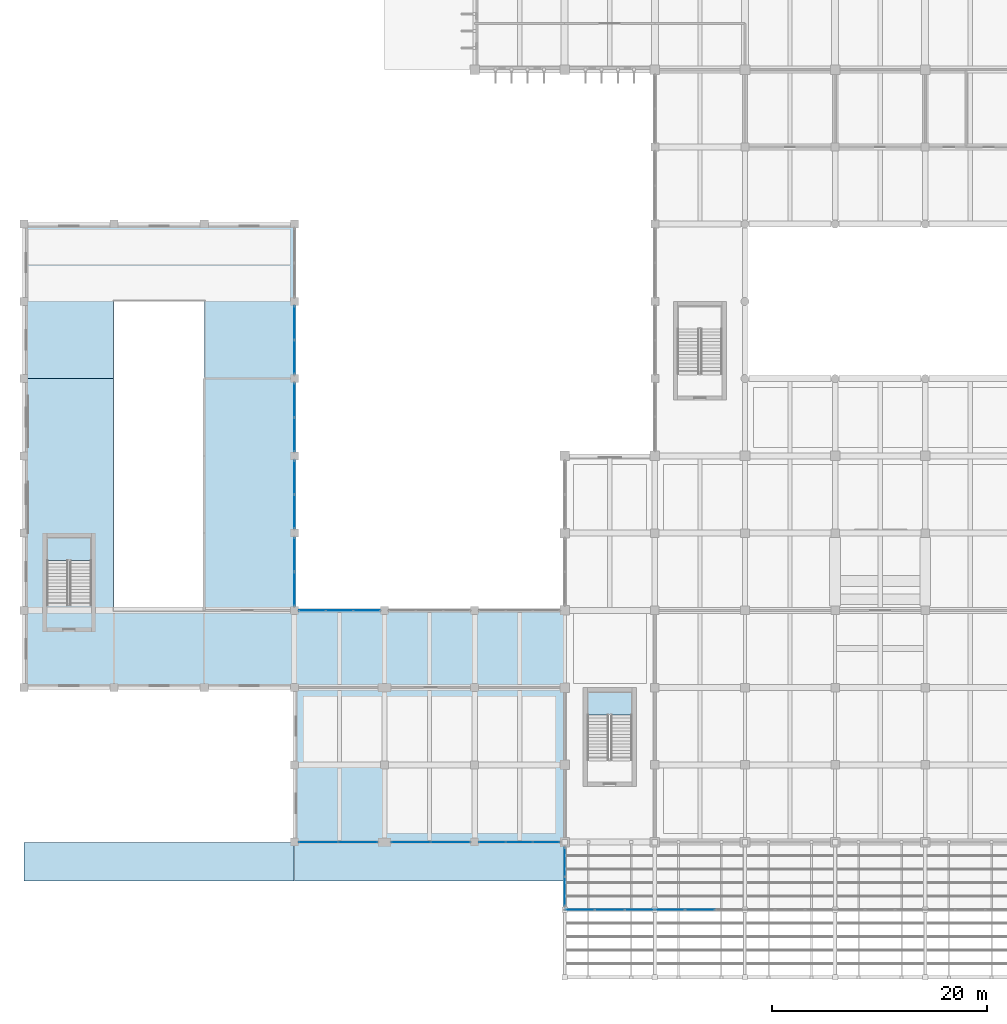
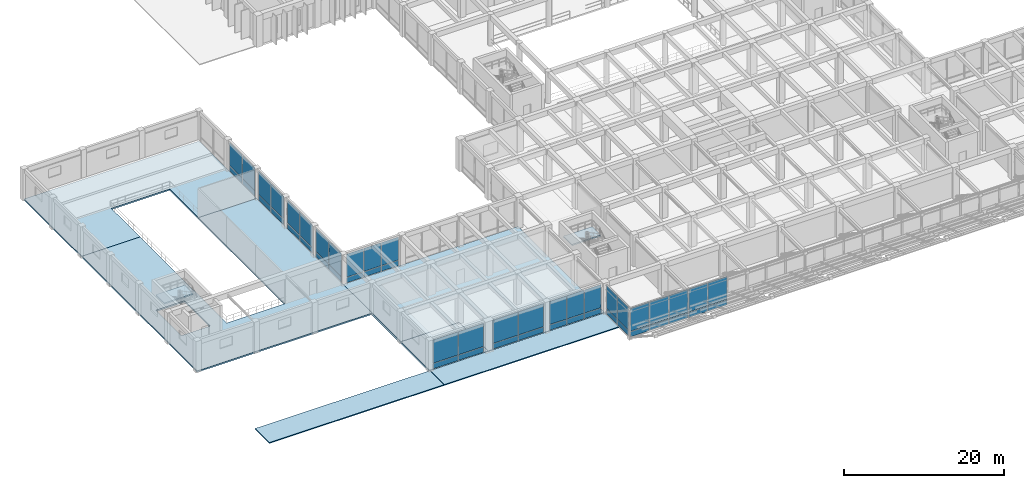
# One storey, part 27 of 52: 50 plates, 8 slabs, 13 elements without a shape of their own.
"""IFC4 building model written with IfcOpenShell, lengths in metres."""

from ifc_helpers import new_model, si_unit, direction, frame, origin, origin_2d, place, context, subcontext, project, spatial, polyline, rectangle, outline, extrude, material, layer, layer_set, type_object, element, aggregate, save


model = new_model("IFC4")

# Units and contexts
model_context = context("Model", 3, precision=1e-05, world=origin(), true_north=direction((0.0, 1.0)))
body_context = subcontext(model_context, "Body", "Model", "MODEL_VIEW")
ifc_project = project(units=[si_unit("LENGTHUNIT", "METRE"), si_unit("AREAUNIT", "SQUARE_METRE"), si_unit("VOLUMEUNIT", "CUBIC_METRE"), si_unit("PLANEANGLEUNIT", "RADIAN"), si_unit("MASSUNIT", "GRAM", prefix="KILO")], contexts=[model_context])

# Site, building, storey
site_placement = place(None, origin())
site = spatial("IfcSite", under=ifc_project, at=site_placement, CompositionType="ELEMENT")
building_placement = place(site_placement, origin())
building = spatial("IfcBuilding", under=site, at=building_placement, Name="Kenerak Square Central Library", CompositionType="ELEMENT")
storey_placement = place(building_placement, frame((0.0, 0.0, 4.800048828125)))
storey = spatial("IfcBuildingStorey", under=building, at=storey_placement, Name="L01", CompositionType="ELEMENT", Elevation=4.800048828125)

# Curtain wall, plates
ifc_material_1 = material(Name="Anodised aluminium and solar-control low-E glazing", Category="aluminium")
curtain_wall_type_1 = type_object("IfcCurtainWallType", Name="Curtain Wall CW-V3-64x45 6450x4500", PredefinedType="USERDEFINED", material=ifc_material_1)
curtain_wall_1_placement = place(storey_placement, origin())
curtain_wall_1 = element("IfcCurtainWall", 1, at=curtain_wall_1_placement, inside=storey, type_object=curtain_wall_type_1, Name="Curtain Wall CW-V3-64x45 L01 0060", ObjectType="CURTAIN WALL", PredefinedType="USERDEFINED")
ifc_material_2 = material(Name="Acoustic solar-control low-E double glazing", Category="glass")
ifc_layer_1 = layer(ifc_material_2, 0.028076171875)
ifc_layer_set_1 = layer_set([ifc_layer_1], Name="Acoustic solar-control low-E double glazing")
plate_type_1 = type_object("IfcPlateType", Name="Acoustic Laminated Curtain Panel CP-28", PredefinedType="CURTAIN_PANEL", material=ifc_layer_set_1)
plate_1_placement = place(storey_placement, frame((33.199951171875, 65.1923828125, 0.080078125), z_axis=(0.0, 0.0, 1.0), x_axis=(0.0, -1.0, 0.0)))
plate_1 = element("IfcPlate", 2, at=plate_1_placement, type_object=plate_type_1, Name="CW-V3-64x45 Panel 1.1", PredefinedType="CURTAIN_PANEL", context=body_context, shape_type="SweptSolid", body=[
    extrude(rectangle(XDim=3.10498046875, YDim=0.028076171875, at=origin_2d()), origin(), (0.0, 0.0, 1.0), 0.780029296875),
])
plate_2_placement = place(storey_placement, frame((33.199951171875, 65.1923828125, 0.93994140625), z_axis=(0.0, 0.0, 1.0), x_axis=(0.0, -1.0, 0.0)))
plate_2 = element("IfcPlate", 3, at=plate_2_placement, type_object=plate_type_1, Name="CW-V3-64x45 Panel 1.2", PredefinedType="CURTAIN_PANEL", context=body_context, shape_type="SweptSolid", body=[
    extrude(rectangle(XDim=3.10498046875, YDim=0.028076171875, at=origin_2d()), origin(), (0.0, 0.0, 1.0), 3.47998046875),
])
plate_3_placement = place(storey_placement, frame((33.199951171875, 62.007568359375, 0.080078125), z_axis=(0.0, 0.0, 1.0), x_axis=(0.0, -1.0, 0.0)))
plate_3 = element("IfcPlate", 4, at=plate_3_placement, type_object=plate_type_1, Name="CW-V3-64x45 Panel 2.1", PredefinedType="CURTAIN_PANEL", context=body_context, shape_type="SweptSolid", body=[
    extrude(rectangle(XDim=3.10498046875, YDim=0.028076171875, at=origin_2d()), origin(), (0.0, 0.0, 1.0), 0.780029296875),
])
plate_4_placement = place(storey_placement, frame((33.199951171875, 62.007568359375, 0.93994140625), z_axis=(0.0, 0.0, 1.0), x_axis=(0.0, -1.0, 0.0)))
plate_4 = element("IfcPlate", 5, at=plate_4_placement, type_object=plate_type_1, Name="CW-V3-64x45 Panel 2.2", PredefinedType="CURTAIN_PANEL", context=body_context, shape_type="SweptSolid", body=[
    extrude(rectangle(XDim=3.10498046875, YDim=0.028076171875, at=origin_2d()), origin(), (0.0, 0.0, 1.0), 3.47998046875),
])
aggregate(curtain_wall_1, [plate_1, plate_2, plate_3, plate_4])

curtain_wall_2_placement = place(storey_placement, origin())
curtain_wall_2 = element("IfcCurtainWall", 6, at=curtain_wall_2_placement, inside=storey, type_object=curtain_wall_type_1, Name="Curtain Wall CW-V3-64x45 L01 0061", ObjectType="CURTAIN WALL", PredefinedType="USERDEFINED")
plate_5_placement = place(storey_placement, frame((33.199951171875, 57.992431640625, 0.080078125), z_axis=(0.0, 0.0, 1.0), x_axis=(0.0, -1.0, 0.0)))
plate_5 = element("IfcPlate", 7, at=plate_5_placement, type_object=plate_type_1, Name="CW-V3-64x45 Panel 1.1", PredefinedType="CURTAIN_PANEL", context=body_context, shape_type="SweptSolid", body=[
    extrude(rectangle(XDim=3.10498046875, YDim=0.028076171875, at=origin_2d()), origin(), (0.0, 0.0, 1.0), 0.780029296875),
])
plate_6_placement = place(storey_placement, frame((33.199951171875, 57.992431640625, 0.93994140625), z_axis=(0.0, 0.0, 1.0), x_axis=(0.0, -1.0, 0.0)))
plate_6 = element("IfcPlate", 8, at=plate_6_placement, type_object=plate_type_1, Name="CW-V3-64x45 Panel 1.2", PredefinedType="CURTAIN_PANEL", context=body_context, shape_type="SweptSolid", body=[
    extrude(rectangle(XDim=3.10498046875, YDim=0.028076171875, at=origin_2d()), origin(), (0.0, 0.0, 1.0), 3.47998046875),
])
plate_7_placement = place(storey_placement, frame((33.199951171875, 54.8076171875, 0.080078125), z_axis=(0.0, 0.0, 1.0), x_axis=(0.0, -1.0, 0.0)))
plate_7 = element("IfcPlate", 9, at=plate_7_placement, type_object=plate_type_1, Name="CW-V3-64x45 Panel 2.1", PredefinedType="CURTAIN_PANEL", context=body_context, shape_type="SweptSolid", body=[
    extrude(rectangle(XDim=3.10498046875, YDim=0.028076171875, at=origin_2d()), origin(), (0.0, 0.0, 1.0), 0.780029296875),
])
plate_8_placement = place(storey_placement, frame((33.199951171875, 54.8076171875, 0.93994140625), z_axis=(0.0, 0.0, 1.0), x_axis=(0.0, -1.0, 0.0)))
plate_8 = element("IfcPlate", 10, at=plate_8_placement, type_object=plate_type_1, Name="CW-V3-64x45 Panel 2.2", PredefinedType="CURTAIN_PANEL", context=body_context, shape_type="SweptSolid", body=[
    extrude(rectangle(XDim=3.10498046875, YDim=0.028076171875, at=origin_2d()), origin(), (0.0, 0.0, 1.0), 3.47998046875),
])
aggregate(curtain_wall_2, [plate_5, plate_6, plate_7, plate_8])

curtain_wall_3_placement = place(storey_placement, origin())
curtain_wall_3 = element("IfcCurtainWall", 11, at=curtain_wall_3_placement, inside=storey, type_object=curtain_wall_type_1, Name="Curtain Wall CW-V3-64x45 L01 0062", ObjectType="CURTAIN WALL", PredefinedType="USERDEFINED")
plate_9_placement = place(storey_placement, frame((33.199951171875, 50.79248046875, 0.080078125), z_axis=(0.0, 0.0, 1.0), x_axis=(0.0, -1.0, 0.0)))
plate_9 = element("IfcPlate", 12, at=plate_9_placement, type_object=plate_type_1, Name="CW-V3-64x45 Panel 1.1", PredefinedType="CURTAIN_PANEL", context=body_context, shape_type="SweptSolid", body=[
    extrude(rectangle(XDim=3.10498046875, YDim=0.028076171875, at=origin_2d()), origin(), (0.0, 0.0, 1.0), 0.780029296875),
])
plate_10_placement = place(storey_placement, frame((33.199951171875, 50.79248046875, 0.93994140625), z_axis=(0.0, 0.0, 1.0), x_axis=(0.0, -1.0, 0.0)))
plate_10 = element("IfcPlate", 13, at=plate_10_placement, type_object=plate_type_1, Name="CW-V3-64x45 Panel 1.2", PredefinedType="CURTAIN_PANEL", context=body_context, shape_type="SweptSolid", body=[
    extrude(rectangle(XDim=3.10498046875, YDim=0.028076171875, at=origin_2d()), origin(), (0.0, 0.0, 1.0), 3.47998046875),
])
plate_11_placement = place(storey_placement, frame((33.199951171875, 47.607421875, 0.080078125), z_axis=(0.0, 0.0, 1.0), x_axis=(0.0, -1.0, 0.0)))
plate_11 = element("IfcPlate", 14, at=plate_11_placement, type_object=plate_type_1, Name="CW-V3-64x45 Panel 2.1", PredefinedType="CURTAIN_PANEL", context=body_context, shape_type="SweptSolid", body=[
    extrude(rectangle(XDim=3.10498046875, YDim=0.028076171875, at=origin_2d()), origin(), (0.0, 0.0, 1.0), 0.780029296875),
])
plate_12_placement = place(storey_placement, frame((33.199951171875, 47.607421875, 0.93994140625), z_axis=(0.0, 0.0, 1.0), x_axis=(0.0, -1.0, 0.0)))
plate_12 = element("IfcPlate", 15, at=plate_12_placement, type_object=plate_type_1, Name="CW-V3-64x45 Panel 2.2", PredefinedType="CURTAIN_PANEL", context=body_context, shape_type="SweptSolid", body=[
    extrude(rectangle(XDim=3.10498046875, YDim=0.028076171875, at=origin_2d()), origin(), (0.0, 0.0, 1.0), 3.47998046875),
])
aggregate(curtain_wall_3, [plate_9, plate_10, plate_11, plate_12])

curtain_wall_4_placement = place(storey_placement, origin())
curtain_wall_4 = element("IfcCurtainWall", 16, at=curtain_wall_4_placement, inside=storey, type_object=curtain_wall_type_1, Name="Curtain Wall CW-V3-64x45 L01 0063", ObjectType="CURTAIN WALL", PredefinedType="USERDEFINED")
plate_13_placement = place(storey_placement, frame((33.199951171875, 43.592529296875, 0.080078125), z_axis=(0.0, 0.0, 1.0), x_axis=(0.0, -1.0, 0.0)))
plate_13 = element("IfcPlate", 17, at=plate_13_placement, type_object=plate_type_1, Name="CW-V3-64x45 Panel 1.1", PredefinedType="CURTAIN_PANEL", context=body_context, shape_type="SweptSolid", body=[
    extrude(rectangle(XDim=3.10498046875, YDim=0.028076171875, at=origin_2d()), origin(), (0.0, 0.0, 1.0), 0.780029296875),
])
plate_14_placement = place(storey_placement, frame((33.199951171875, 43.592529296875, 0.93994140625), z_axis=(0.0, 0.0, 1.0), x_axis=(0.0, -1.0, 0.0)))
plate_14 = element("IfcPlate", 18, at=plate_14_placement, type_object=plate_type_1, Name="CW-V3-64x45 Panel 1.2", PredefinedType="CURTAIN_PANEL", context=body_context, shape_type="SweptSolid", body=[
    extrude(rectangle(XDim=3.10498046875, YDim=0.028076171875, at=origin_2d()), origin(), (0.0, 0.0, 1.0), 3.47998046875),
])
plate_15_placement = place(storey_placement, frame((33.199951171875, 40.407470703125, 0.080078125), z_axis=(0.0, 0.0, 1.0), x_axis=(0.0, -1.0, 0.0)))
plate_15 = element("IfcPlate", 19, at=plate_15_placement, type_object=plate_type_1, Name="CW-V3-64x45 Panel 2.1", PredefinedType="CURTAIN_PANEL", context=body_context, shape_type="SweptSolid", body=[
    extrude(rectangle(XDim=3.10498046875, YDim=0.028076171875, at=origin_2d()), origin(), (0.0, 0.0, 1.0), 0.780029296875),
])
plate_16_placement = place(storey_placement, frame((33.199951171875, 40.407470703125, 0.93994140625), z_axis=(0.0, 0.0, 1.0), x_axis=(0.0, -1.0, 0.0)))
plate_16 = element("IfcPlate", 20, at=plate_16_placement, type_object=plate_type_1, Name="CW-V3-64x45 Panel 2.2", PredefinedType="CURTAIN_PANEL", context=body_context, shape_type="SweptSolid", body=[
    extrude(rectangle(XDim=3.10498046875, YDim=0.028076171875, at=origin_2d()), origin(), (0.0, 0.0, 1.0), 3.47998046875),
])
aggregate(curtain_wall_4, [plate_13, plate_14, plate_15, plate_16])

# Slabs
ifc_material_3 = material(Name="Precast concrete C40/50", Category="concrete")
ifc_layer_2 = layer(ifc_material_3, 0.14990234375)
ifc_layer_set_2 = layer_set([ifc_layer_2], Name="Precast concrete C40/50")
slab_type_1 = type_object("IfcSlabType", Name="Canopy and Lantern Eave Roof Deck RS-150 C40/50", PredefinedType="ROOF", material=ifc_layer_set_2)
slab_1_placement = place(storey_placement, frame((0.0, 0.0, -0.150146484375)))
element("IfcSlab", 21, at=slab_1_placement, inside=storey, type_object=slab_type_1, Name="Canopy Roof Slab COL-ROOF-SW", PredefinedType="ROOF", context=body_context, shape_type="SweptSolid", body=[
    extrude(outline(polyline([(8.0, 13.199951171875), (33.14990234375, 13.199951171875), (33.14990234375, 16.75), (8.0, 16.75), (8.0, 13.199951171875)])), origin(), (0.0, 0.0, 1.0), 0.150146484375),
])
slab_2_placement = place(storey_placement, frame((0.0, 0.0, -0.150146484375)))
element("IfcSlab", 22, at=slab_2_placement, inside=storey, type_object=slab_type_1, Name="Canopy Roof Slab COL-ROOF-SW2", PredefinedType="ROOF", context=body_context, shape_type="SweptSolid", body=[
    extrude(outline(polyline([(33.199951171875, 13.199951171875), (58.35009765625, 13.199951171875), (58.35009765625, 16.75), (33.199951171875, 16.75), (33.199951171875, 13.199951171875)])), origin(), (0.0, 0.0, 1.0), 0.150146484375),
])
ifc_material_4 = material(Name="Concrete C40/50", Category="concrete")
ifc_layer_3 = layer(ifc_material_4, 0.22509765625)
ifc_layer_set_3 = layer_set([ifc_layer_3], Name="Concrete C40/50")
slab_type_2 = type_object("IfcSlabType", Name="General Reading Room Slab FS-225 C40/50", PredefinedType="FLOOR", material=ifc_layer_set_3)
slab_3_placement = place(storey_placement, frame((0.0, 0.0, -0.22509765625)))
element("IfcSlab", 23, at=slab_3_placement, inside=storey, type_object=slab_type_2, Name="V3 Floor Slab L01 032", PredefinedType="FLOOR", context=body_context, shape_type="SweptSolid", body=[
    extrude(outline(polyline([(8.0, 60.0), (16.39990234375, 60.0), (16.39990234375, 38.39990234375), (24.800048828125, 38.39990234375), (24.800048828125, 60.0), (33.199951171875, 60.0), (33.199951171875, 31.199951171875), (8.0, 31.199951171875), (8.0, 60.0)]), holes=[polyline([(14.280029296875, 38.85009765625), (14.280029296875, 45.199951171875), (10.1201171875, 45.199951171875), (10.1201171875, 38.85009765625), (14.280029296875, 38.85009765625)])]), origin(), (0.0, 0.0, 1.0), 0.22509765625),
])
slab_4_placement = place(storey_placement, frame((0.0, 0.0, -0.22509765625)))
element("IfcSlab", 24, at=slab_4_placement, inside=storey, type_object=slab_type_2, Name="V3 Floor Slab L01 033", PredefinedType="FLOOR", context=body_context, shape_type="SweptSolid", body=[
    extrude(outline(polyline([(8.0, 74.39990234375), (33.199951171875, 74.39990234375), (33.199951171875, 60.0), (24.800048828125, 60.0), (24.800048828125, 67.199951171875), (16.39990234375, 67.199951171875), (16.39990234375, 60.0), (8.0, 60.0), (8.0, 74.39990234375)])), origin(), (0.0, 0.0, 1.0), 0.22509765625),
])

# Curtain wall, plates
curtain_wall_type_2 = type_object("IfcCurtainWallType", Name="Curtain Wall CW-V6-75x45 7575x4500", PredefinedType="USERDEFINED", material=ifc_material_1)
curtain_wall_5_placement = place(storey_placement, origin())
curtain_wall_5 = element("IfcCurtainWall", 25, at=curtain_wall_5_placement, inside=storey, type_object=curtain_wall_type_2, Name="Curtain Wall CW-V6-75x45 L01 0056", ObjectType="CURTAIN WALL", PredefinedType="USERDEFINED")
ifc_material_5 = material(Name="Solar-control low-E laminated double glazing", Category="glass")
ifc_layer_4 = layer(ifc_material_5, 0.02392578125)
ifc_layer_set_4 = layer_set([ifc_layer_4], Name="Solar-control low-E laminated double glazing")
plate_type_2 = type_object("IfcPlateType", Name="Low-E Double Glazed Curtain Panel CP-24", PredefinedType="CURTAIN_PANEL", material=ifc_layer_set_4)
plate_17_placement = place(storey_placement, frame((56.671142578125, 16.800048828125, 0.06494140625), z_axis=(0.0, 0.0, 1.0), x_axis=(-1.0, 0.0, 0.0)))
plate_17 = element("IfcPlate", 26, at=plate_17_placement, type_object=plate_type_2, Name="CW-V6-75x45 Panel 1.1", PredefinedType="CURTAIN_PANEL", context=body_context, shape_type="SweptSolid", body=[
    extrude(rectangle(XDim=2.427490234375, YDim=0.02392578125, at=origin_2d()), origin(), (0.0, 0.0, 1.0), 0.802490234375),
])
plate_18_placement = place(storey_placement, frame((56.671142578125, 16.800048828125, 0.932373046875), z_axis=(0.0, 0.0, 1.0), x_axis=(-1.0, 0.0, 0.0)))
plate_18 = element("IfcPlate", 27, at=plate_18_placement, type_object=plate_type_2, Name="CW-V6-75x45 Panel 1.2", PredefinedType="CURTAIN_PANEL", context=body_context, shape_type="SweptSolid", body=[
    extrude(rectangle(XDim=2.427490234375, YDim=0.02392578125, at=origin_2d()), origin(), (0.0, 0.0, 1.0), 3.50244140625),
])
plate_19_placement = place(storey_placement, frame((54.16259765625, 16.800048828125, 0.06494140625), z_axis=(0.0, 0.0, 1.0), x_axis=(-1.0, 0.0, 0.0)))
plate_19 = element("IfcPlate", 28, at=plate_19_placement, type_object=plate_type_2, Name="CW-V6-75x45 Panel 2.1", PredefinedType="CURTAIN_PANEL", context=body_context, shape_type="SweptSolid", body=[
    extrude(rectangle(XDim=2.4599609375, YDim=0.02392578125, at=origin_2d()), origin(), (0.0, 0.0, 1.0), 0.802490234375),
])
plate_20_placement = place(storey_placement, frame((54.16259765625, 16.800048828125, 0.932373046875), z_axis=(0.0, 0.0, 1.0), x_axis=(-1.0, 0.0, 0.0)))
plate_20 = element("IfcPlate", 29, at=plate_20_placement, type_object=plate_type_2, Name="CW-V6-75x45 Panel 2.2", PredefinedType="CURTAIN_PANEL", context=body_context, shape_type="SweptSolid", body=[
    extrude(rectangle(XDim=2.4599609375, YDim=0.02392578125, at=origin_2d()), origin(), (0.0, 0.0, 1.0), 3.50244140625),
])
plate_21_placement = place(storey_placement, frame((51.65380859375, 16.800048828125, 0.06494140625), z_axis=(0.0, 0.0, 1.0), x_axis=(-1.0, 0.0, 0.0)))
plate_21 = element("IfcPlate", 30, at=plate_21_placement, type_object=plate_type_2, Name="CW-V6-75x45 Panel 3.1", PredefinedType="CURTAIN_PANEL", context=body_context, shape_type="SweptSolid", body=[
    extrude(rectangle(XDim=2.427490234375, YDim=0.02392578125, at=origin_2d()), origin(), (0.0, 0.0, 1.0), 0.802490234375),
])
plate_22_placement = place(storey_placement, frame((51.65380859375, 16.800048828125, 0.932373046875), z_axis=(0.0, 0.0, 1.0), x_axis=(-1.0, 0.0, 0.0)))
plate_22 = element("IfcPlate", 31, at=plate_22_placement, type_object=plate_type_2, Name="CW-V6-75x45 Panel 3.2", PredefinedType="CURTAIN_PANEL", context=body_context, shape_type="SweptSolid", body=[
    extrude(rectangle(XDim=2.427490234375, YDim=0.02392578125, at=origin_2d()), origin(), (0.0, 0.0, 1.0), 3.50244140625),
])
aggregate(curtain_wall_5, [plate_17, plate_18, plate_19, plate_20, plate_21, plate_22])

curtain_wall_type_3 = type_object("IfcCurtainWallType", Name="Curtain Wall CW-V6-74x45 7425x4500", PredefinedType="USERDEFINED", material=ifc_material_1)
curtain_wall_6_placement = place(storey_placement, origin())
curtain_wall_6 = element("IfcCurtainWall", 32, at=curtain_wall_6_placement, inside=storey, type_object=curtain_wall_type_3, Name="Curtain Wall CW-V6-74x45 L01 0057", ObjectType="CURTAIN WALL", PredefinedType="USERDEFINED")
plate_23_placement = place(storey_placement, frame((47.75244140625, 16.800048828125, 0.06494140625), z_axis=(0.0, 0.0, 1.0), x_axis=(-1.0, 0.0, 0.0)))
plate_23 = element("IfcPlate", 33, at=plate_23_placement, type_object=plate_type_2, Name="CW-V6-74x45 Panel 1.1", PredefinedType="CURTAIN_PANEL", context=body_context, shape_type="SweptSolid", body=[
    extrude(rectangle(XDim=3.614990234375, YDim=0.02392578125, at=origin_2d()), origin(), (0.0, 0.0, 1.0), 0.802490234375),
])
plate_24_placement = place(storey_placement, frame((47.75244140625, 16.800048828125, 0.932373046875), z_axis=(0.0, 0.0, 1.0), x_axis=(-1.0, 0.0, 0.0)))
plate_24 = element("IfcPlate", 34, at=plate_24_placement, type_object=plate_type_2, Name="CW-V6-74x45 Panel 1.2", PredefinedType="CURTAIN_PANEL", context=body_context, shape_type="SweptSolid", body=[
    extrude(rectangle(XDim=3.614990234375, YDim=0.02392578125, at=origin_2d()), origin(), (0.0, 0.0, 1.0), 3.50244140625),
])
plate_25_placement = place(storey_placement, frame((44.072509765625, 16.800048828125, 0.06494140625), z_axis=(0.0, 0.0, 1.0), x_axis=(-1.0, 0.0, 0.0)))
plate_25 = element("IfcPlate", 35, at=plate_25_placement, type_object=plate_type_2, Name="CW-V6-74x45 Panel 2.1", PredefinedType="CURTAIN_PANEL", context=body_context, shape_type="SweptSolid", body=[
    extrude(rectangle(XDim=3.614990234375, YDim=0.02392578125, at=origin_2d()), origin(), (0.0, 0.0, 1.0), 0.802490234375),
])
plate_26_placement = place(storey_placement, frame((44.072509765625, 16.800048828125, 0.932373046875), z_axis=(0.0, 0.0, 1.0), x_axis=(-1.0, 0.0, 0.0)))
plate_26 = element("IfcPlate", 36, at=plate_26_placement, type_object=plate_type_2, Name="CW-V6-74x45 Panel 2.2", PredefinedType="CURTAIN_PANEL", context=body_context, shape_type="SweptSolid", body=[
    extrude(rectangle(XDim=3.614990234375, YDim=0.02392578125, at=origin_2d()), origin(), (0.0, 0.0, 1.0), 3.50244140625),
])
aggregate(curtain_wall_6, [plate_23, plate_24, plate_25, plate_26])

curtain_wall_7_placement = place(storey_placement, origin())
curtain_wall_7 = element("IfcCurtainWall", 37, at=curtain_wall_7_placement, inside=storey, type_object=curtain_wall_type_3, Name="Curtain Wall CW-V6-74x45 L01 0058", ObjectType="CURTAIN WALL", PredefinedType="USERDEFINED")
plate_27_placement = place(storey_placement, frame((39.12744140625, 16.800048828125, 0.06494140625), z_axis=(0.0, 0.0, 1.0), x_axis=(-1.0, 0.0, 0.0)))
plate_27 = element("IfcPlate", 38, at=plate_27_placement, type_object=plate_type_2, Name="CW-V6-74x45 Panel 1.1", PredefinedType="CURTAIN_PANEL", context=body_context, shape_type="SweptSolid", body=[
    extrude(rectangle(XDim=3.614990234375, YDim=0.02392578125, at=origin_2d()), origin(), (0.0, 0.0, 1.0), 0.802490234375),
])
plate_28_placement = place(storey_placement, frame((39.12744140625, 16.800048828125, 0.932373046875), z_axis=(0.0, 0.0, 1.0), x_axis=(-1.0, 0.0, 0.0)))
plate_28 = element("IfcPlate", 39, at=plate_28_placement, type_object=plate_type_2, Name="CW-V6-74x45 Panel 1.2", PredefinedType="CURTAIN_PANEL", context=body_context, shape_type="SweptSolid", body=[
    extrude(rectangle(XDim=3.614990234375, YDim=0.02392578125, at=origin_2d()), origin(), (0.0, 0.0, 1.0), 3.50244140625),
])
plate_29_placement = place(storey_placement, frame((35.447509765625, 16.800048828125, 0.06494140625), z_axis=(0.0, 0.0, 1.0), x_axis=(-1.0, 0.0, 0.0)))
plate_29 = element("IfcPlate", 40, at=plate_29_placement, type_object=plate_type_2, Name="CW-V6-74x45 Panel 2.1", PredefinedType="CURTAIN_PANEL", context=body_context, shape_type="SweptSolid", body=[
    extrude(rectangle(XDim=3.614990234375, YDim=0.02392578125, at=origin_2d()), origin(), (0.0, 0.0, 1.0), 0.802490234375),
])
plate_30_placement = place(storey_placement, frame((35.447509765625, 16.800048828125, 0.932373046875), z_axis=(0.0, 0.0, 1.0), x_axis=(-1.0, 0.0, 0.0)))
plate_30 = element("IfcPlate", 41, at=plate_30_placement, type_object=plate_type_2, Name="CW-V6-74x45 Panel 2.2", PredefinedType="CURTAIN_PANEL", context=body_context, shape_type="SweptSolid", body=[
    extrude(rectangle(XDim=3.614990234375, YDim=0.02392578125, at=origin_2d()), origin(), (0.0, 0.0, 1.0), 3.50244140625),
])
aggregate(curtain_wall_7, [plate_27, plate_28, plate_29, plate_30])

curtain_wall_type_4 = type_object("IfcCurtainWallType", Name="Curtain Wall CW-V6-76x45 7650x4500", PredefinedType="USERDEFINED", material=ifc_material_1)
curtain_wall_8_placement = place(storey_placement, origin())
curtain_wall_8 = element("IfcCurtainWall", 42, at=curtain_wall_8_placement, inside=storey, type_object=curtain_wall_type_4, Name="Curtain Wall CW-V6-76x45 L01 0064", ObjectType="CURTAIN WALL", PredefinedType="USERDEFINED")
plate_31_placement = place(storey_placement, frame((34.8662109375, 38.39990234375, 0.06494140625), z_axis=(0.0, 0.0, 1.0), x_axis=(1.0, 0.0, 0.0)))
plate_31 = element("IfcPlate", 43, at=plate_31_placement, type_object=plate_type_2, Name="CW-V6-76x45 Panel 1.1", PredefinedType="CURTAIN_PANEL", context=body_context, shape_type="SweptSolid", body=[
    extrude(rectangle(XDim=2.452392578125, YDim=0.02392578125, at=origin_2d()), origin(), (0.0, 0.0, 1.0), 0.802490234375),
])
plate_32_placement = place(storey_placement, frame((34.8662109375, 38.39990234375, 0.932373046875), z_axis=(0.0, 0.0, 1.0), x_axis=(1.0, 0.0, 0.0)))
plate_32 = element("IfcPlate", 44, at=plate_32_placement, type_object=plate_type_2, Name="CW-V6-76x45 Panel 1.2", PredefinedType="CURTAIN_PANEL", context=body_context, shape_type="SweptSolid", body=[
    extrude(rectangle(XDim=2.452392578125, YDim=0.02392578125, at=origin_2d()), origin(), (0.0, 0.0, 1.0), 3.50244140625),
])
plate_33_placement = place(storey_placement, frame((37.39990234375, 38.39990234375, 0.06494140625), z_axis=(0.0, 0.0, 1.0), x_axis=(1.0, 0.0, 0.0)))
plate_33 = element("IfcPlate", 45, at=plate_33_placement, type_object=plate_type_2, Name="CW-V6-76x45 Panel 2.1", PredefinedType="CURTAIN_PANEL", context=body_context, shape_type="SweptSolid", body=[
    extrude(rectangle(XDim=2.485107421875, YDim=0.02392578125, at=origin_2d()), origin(), (0.0, 0.0, 1.0), 0.802490234375),
])
plate_34_placement = place(storey_placement, frame((37.39990234375, 38.39990234375, 0.932373046875), z_axis=(0.0, 0.0, 1.0), x_axis=(1.0, 0.0, 0.0)))
plate_34 = element("IfcPlate", 46, at=plate_34_placement, type_object=plate_type_2, Name="CW-V6-76x45 Panel 2.2", PredefinedType="CURTAIN_PANEL", context=body_context, shape_type="SweptSolid", body=[
    extrude(rectangle(XDim=2.485107421875, YDim=0.02392578125, at=origin_2d()), origin(), (0.0, 0.0, 1.0), 3.50244140625),
])
plate_35_placement = place(storey_placement, frame((39.933837890625, 38.39990234375, 0.06494140625), z_axis=(0.0, 0.0, 1.0), x_axis=(1.0, 0.0, 0.0)))
plate_35 = element("IfcPlate", 47, at=plate_35_placement, type_object=plate_type_2, Name="CW-V6-76x45 Panel 3.1", PredefinedType="CURTAIN_PANEL", context=body_context, shape_type="SweptSolid", body=[
    extrude(rectangle(XDim=2.452392578125, YDim=0.02392578125, at=origin_2d()), origin(), (0.0, 0.0, 1.0), 0.802490234375),
])
plate_36_placement = place(storey_placement, frame((39.933837890625, 38.39990234375, 0.932373046875), z_axis=(0.0, 0.0, 1.0), x_axis=(1.0, 0.0, 0.0)))
plate_36 = element("IfcPlate", 48, at=plate_36_placement, type_object=plate_type_2, Name="CW-V6-76x45 Panel 3.2", PredefinedType="CURTAIN_PANEL", context=body_context, shape_type="SweptSolid", body=[
    extrude(rectangle(XDim=2.452392578125, YDim=0.02392578125, at=origin_2d()), origin(), (0.0, 0.0, 1.0), 3.50244140625),
])
aggregate(curtain_wall_8, [plate_31, plate_32, plate_33, plate_34, plate_35, plate_36])

# Stair, slab
stair_type = type_object("IfcStairType", Name="Exit Dogleg Stair ST-480 C40/50", PredefinedType="HALF_TURN_STAIR", material=ifc_material_4)
stair_1_placement = place(storey_placement, origin())
stair_1 = element("IfcStair", 49, at=stair_1_placement, inside=storey, type_object=stair_type, Name="L01 Protected Exit Stair ST-04", PredefinedType="HALF_TURN_STAIR")
ifc_layer_5 = layer(ifc_material_4, 0.199951171875)
ifc_layer_set_5 = layer_set([ifc_layer_5], Name="Concrete C40/50")
slab_type_3 = type_object("IfcSlabType", Name="Stair Half-Landing Slab LD-200 C40/50", PredefinedType="LANDING", material=ifc_layer_set_5)
slab_5_placement = place(storey_placement, frame((0.0, 0.0, 2.199951171875)))
slab_5 = element("IfcSlab", 50, at=slab_5_placement, type_object=slab_type_3, Name="ST-04 Landing 1", PredefinedType="LANDING", context=body_context, shape_type="SweptSolid", body=[
    extrude(outline(polyline([(64.679931640625, 28.64990234375), (64.679931640625, 30.800048828125), (60.52001953125, 30.800048828125), (60.52001953125, 28.64990234375), (64.679931640625, 28.64990234375)])), origin(), (0.0, 0.0, 1.0), 0.199951171875),
])
aggregate(stair_1, [slab_5])

stair_2_placement = place(storey_placement, origin())
stair_2 = element("IfcStair", 51, at=stair_2_placement, inside=storey, type_object=stair_type, Name="L01 Protected Exit Stair ST-06", PredefinedType="HALF_TURN_STAIR")
slab_6_placement = place(storey_placement, frame((0.0, 0.0, 2.199951171875)))
slab_6 = element("IfcSlab", 52, at=slab_6_placement, type_object=slab_type_3, Name="ST-06 Landing 1", PredefinedType="LANDING", context=body_context, shape_type="SweptSolid", body=[
    extrude(outline(polyline([(14.280029296875, 43.050048828125), (14.280029296875, 45.199951171875), (10.1201171875, 45.199951171875), (10.1201171875, 43.050048828125), (14.280029296875, 43.050048828125)])), origin(), (0.0, 0.0, 1.0), 0.199951171875),
])
aggregate(stair_2, [slab_6])

# Slabs
ifc_layer_6 = layer(ifc_material_4, 0.35009765625)
ifc_layer_set_6 = layer_set([ifc_layer_6], Name="Concrete C40/50")
slab_type_4 = type_object("IfcSlabType", Name="Transfer and Plant Room Slab FS-350 C40/50", PredefinedType="FLOOR", material=ifc_layer_set_6)
slab_7_placement = place(storey_placement, frame((0.0, 0.0, -0.35009765625)))
element("IfcSlab", 53, at=slab_7_placement, inside=storey, type_object=slab_type_4, Name="V6 Floor Slab L01 101", PredefinedType="FLOOR", context=body_context, shape_type="SweptSolid", body=[
    extrude(outline(polyline([(33.199951171875, 38.39990234375), (58.39990234375, 38.39990234375), (58.39990234375, 16.800048828125), (41.60009765625, 16.800048828125), (41.60009765625, 24.0), (33.199951171875, 24.0), (33.199951171875, 38.39990234375)])), origin(), (0.0, 0.0, 1.0), 0.35009765625),
])
slab_8_placement = place(storey_placement, frame((0.0, 0.0, -0.35009765625)))
element("IfcSlab", 54, at=slab_8_placement, inside=storey, type_object=slab_type_4, Name="V6 Floor Slab L01 102", PredefinedType="FLOOR", context=body_context, shape_type="SweptSolid", body=[
    extrude(outline(polyline([(41.60009765625, 16.800048828125), (41.60009765625, 24.0), (33.199951171875, 24.0), (33.199951171875, 16.800048828125), (41.60009765625, 16.800048828125)])), origin(), (0.0, 0.0, 1.0), 0.35009765625),
])

# Curtain wall, plates
curtain_wall_type_5 = type_object("IfcCurtainWallType", Name="Curtain Wall CW-V1-84x45 8400x4500", PredefinedType="USERDEFINED", material=ifc_material_1)
curtain_wall_9_placement = place(storey_placement, origin())
curtain_wall_9 = element("IfcCurtainWall", 55, at=curtain_wall_9_placement, inside=storey, type_object=curtain_wall_type_5, Name="Curtain Wall CW-V1-84x45 L01 0053", ObjectType="CURTAIN WALL", PredefinedType="USERDEFINED")
ifc_material_6 = material(Name="Triple-laminated solar-control low-E glazing", Category="glass")
ifc_layer_7 = layer(ifc_material_6, 0.031982421875)
ifc_layer_set_7 = layer_set([ifc_layer_7], Name="Triple-laminated solar-control low-E glazing")
plate_type_3 = type_object("IfcPlateType", Name="Triple-Laminated Reading Hall Panel CP-32", PredefinedType="CURTAIN_PANEL", material=ifc_layer_set_7)
plate_37_placement = place(storey_placement, frame((71.0, 10.5, 0.074951171875), z_axis=(0.0, 0.0, 1.0), x_axis=(-1.0, 0.0, 0.0)))
plate_37 = element("IfcPlate", 56, at=plate_37_placement, type_object=plate_type_3, Name="CW-V1-84x45 Panel 2.1", PredefinedType="CURTAIN_PANEL", context=body_context, shape_type="SweptSolid", body=[
    extrude(rectangle(XDim=2.72509765625, YDim=0.031982421875, at=origin_2d()), origin(), (0.0, 0.0, 1.0), 0.78759765625),
])
plate_38_placement = place(storey_placement, frame((71.0, 10.5, 0.9375), z_axis=(0.0, 0.0, 1.0), x_axis=(-1.0, 0.0, 0.0)))
plate_38 = element("IfcPlate", 57, at=plate_38_placement, type_object=plate_type_3, Name="CW-V1-84x45 Panel 2.2", PredefinedType="CURTAIN_PANEL", context=body_context, shape_type="SweptSolid", body=[
    extrude(rectangle(XDim=2.72509765625, YDim=0.031982421875, at=origin_2d()), origin(), (0.0, 0.0, 1.0), 3.487548828125),
])
plate_39_placement = place(storey_placement, frame((68.21875, 10.5, 0.074951171875), z_axis=(0.0, 0.0, 1.0), x_axis=(-1.0, 0.0, 0.0)))
plate_39 = element("IfcPlate", 58, at=plate_39_placement, type_object=plate_type_3, Name="CW-V1-84x45 Panel 3.1", PredefinedType="CURTAIN_PANEL", context=body_context, shape_type="SweptSolid", body=[
    extrude(rectangle(XDim=2.6875, YDim=0.031982421875, at=origin_2d()), origin(), (0.0, 0.0, 1.0), 0.78759765625),
])
plate_40_placement = place(storey_placement, frame((68.21875, 10.5, 0.9375), z_axis=(0.0, 0.0, 1.0), x_axis=(-1.0, 0.0, 0.0)))
plate_40 = element("IfcPlate", 59, at=plate_40_placement, type_object=plate_type_3, Name="CW-V1-84x45 Panel 3.2", PredefinedType="CURTAIN_PANEL", context=body_context, shape_type="SweptSolid", body=[
    extrude(rectangle(XDim=2.6875, YDim=0.031982421875, at=origin_2d()), origin(), (0.0, 0.0, 1.0), 3.487548828125),
])
aggregate(curtain_wall_9, [plate_37, plate_38, plate_39, plate_40])

curtain_wall_10_placement = place(storey_placement, origin())
curtain_wall_10 = element("IfcCurtainWall", 60, at=curtain_wall_10_placement, inside=storey, type_object=curtain_wall_type_5, Name="Curtain Wall CW-V1-84x45 L01 0054", ObjectType="CURTAIN WALL", PredefinedType="USERDEFINED")
plate_41_placement = place(storey_placement, frame((65.38134765625, 10.5, 0.074951171875), z_axis=(0.0, 0.0, 1.0), x_axis=(-1.0, 0.0, 0.0)))
plate_41 = element("IfcPlate", 61, at=plate_41_placement, type_object=plate_type_3, Name="CW-V1-84x45 Panel 1.1", PredefinedType="CURTAIN_PANEL", context=body_context, shape_type="SweptSolid", body=[
    extrude(rectangle(XDim=2.6875, YDim=0.031982421875, at=origin_2d()), origin(), (0.0, 0.0, 1.0), 0.78759765625),
])
plate_42_placement = place(storey_placement, frame((65.38134765625, 10.5, 0.9375), z_axis=(0.0, 0.0, 1.0), x_axis=(-1.0, 0.0, 0.0)))
plate_42 = element("IfcPlate", 62, at=plate_42_placement, type_object=plate_type_3, Name="CW-V1-84x45 Panel 1.2", PredefinedType="CURTAIN_PANEL", context=body_context, shape_type="SweptSolid", body=[
    extrude(rectangle(XDim=2.6875, YDim=0.031982421875, at=origin_2d()), origin(), (0.0, 0.0, 1.0), 3.487548828125),
])
plate_43_placement = place(storey_placement, frame((62.60009765625, 10.5, 0.074951171875), z_axis=(0.0, 0.0, 1.0), x_axis=(-1.0, 0.0, 0.0)))
plate_43 = element("IfcPlate", 63, at=plate_43_placement, type_object=plate_type_3, Name="CW-V1-84x45 Panel 2.1", PredefinedType="CURTAIN_PANEL", context=body_context, shape_type="SweptSolid", body=[
    extrude(rectangle(XDim=2.72509765625, YDim=0.031982421875, at=origin_2d()), origin(), (0.0, 0.0, 1.0), 0.78759765625),
])
plate_44_placement = place(storey_placement, frame((62.60009765625, 10.5, 0.9375), z_axis=(0.0, 0.0, 1.0), x_axis=(-1.0, 0.0, 0.0)))
plate_44 = element("IfcPlate", 64, at=plate_44_placement, type_object=plate_type_3, Name="CW-V1-84x45 Panel 2.2", PredefinedType="CURTAIN_PANEL", context=body_context, shape_type="SweptSolid", body=[
    extrude(rectangle(XDim=2.72509765625, YDim=0.031982421875, at=origin_2d()), origin(), (0.0, 0.0, 1.0), 3.487548828125),
])
plate_45_placement = place(storey_placement, frame((59.81884765625, 10.5, 0.074951171875), z_axis=(0.0, 0.0, 1.0), x_axis=(-1.0, 0.0, 0.0)))
plate_45 = element("IfcPlate", 65, at=plate_45_placement, type_object=plate_type_3, Name="CW-V1-84x45 Panel 3.1", PredefinedType="CURTAIN_PANEL", context=body_context, shape_type="SweptSolid", body=[
    extrude(rectangle(XDim=2.6875, YDim=0.031982421875, at=origin_2d()), origin(), (0.0, 0.0, 1.0), 0.78759765625),
])
plate_46_placement = place(storey_placement, frame((59.81884765625, 10.5, 0.9375), z_axis=(0.0, 0.0, 1.0), x_axis=(-1.0, 0.0, 0.0)))
plate_46 = element("IfcPlate", 66, at=plate_46_placement, type_object=plate_type_3, Name="CW-V1-84x45 Panel 3.2", PredefinedType="CURTAIN_PANEL", context=body_context, shape_type="SweptSolid", body=[
    extrude(rectangle(XDim=2.6875, YDim=0.031982421875, at=origin_2d()), origin(), (0.0, 0.0, 1.0), 3.487548828125),
])
aggregate(curtain_wall_10, [plate_41, plate_42, plate_43, plate_44, plate_45, plate_46])

curtain_wall_type_6 = type_object("IfcCurtainWallType", Name="Curtain Wall CW-V1-55x45 5550x4500", PredefinedType="USERDEFINED", material=ifc_material_1)
curtain_wall_11_placement = place(storey_placement, origin())
curtain_wall_11 = element("IfcCurtainWall", 67, at=curtain_wall_11_placement, inside=storey, type_object=curtain_wall_type_6, Name="Curtain Wall CW-V1-55x45 L01 0055", ObjectType="CURTAIN WALL", PredefinedType="USERDEFINED")
plate_47_placement = place(storey_placement, frame((58.39990234375, 12.206298828125, 0.074951171875), z_axis=(0.0, 0.0, 1.0), x_axis=(0.0, 1.0, 0.0)))
plate_47 = element("IfcPlate", 68, at=plate_47_placement, type_object=plate_type_3, Name="CW-V1-55x45 Panel 1.1", PredefinedType="CURTAIN_PANEL", context=body_context, shape_type="SweptSolid", body=[
    extrude(rectangle(XDim=2.66259765625, YDim=0.031982421875, at=origin_2d()), origin(), (0.0, 0.0, 1.0), 0.78759765625),
])
plate_48_placement = place(storey_placement, frame((58.39990234375, 12.206298828125, 0.9375), z_axis=(0.0, 0.0, 1.0), x_axis=(0.0, 1.0, 0.0)))
plate_48 = element("IfcPlate", 69, at=plate_48_placement, type_object=plate_type_3, Name="CW-V1-55x45 Panel 1.2", PredefinedType="CURTAIN_PANEL", context=body_context, shape_type="SweptSolid", body=[
    extrude(rectangle(XDim=2.66259765625, YDim=0.031982421875, at=origin_2d()), origin(), (0.0, 0.0, 1.0), 3.487548828125),
])
plate_49_placement = place(storey_placement, frame((58.39990234375, 14.94384765625, 0.074951171875), z_axis=(0.0, 0.0, 1.0), x_axis=(0.0, 1.0, 0.0)))
plate_49 = element("IfcPlate", 70, at=plate_49_placement, type_object=plate_type_3, Name="CW-V1-55x45 Panel 2.1", PredefinedType="CURTAIN_PANEL", context=body_context, shape_type="SweptSolid", body=[
    extrude(rectangle(XDim=2.66259765625, YDim=0.031982421875, at=origin_2d()), origin(), (0.0, 0.0, 1.0), 0.78759765625),
])
plate_50_placement = place(storey_placement, frame((58.39990234375, 14.94384765625, 0.9375), z_axis=(0.0, 0.0, 1.0), x_axis=(0.0, 1.0, 0.0)))
plate_50 = element("IfcPlate", 71, at=plate_50_placement, type_object=plate_type_3, Name="CW-V1-55x45 Panel 2.2", PredefinedType="CURTAIN_PANEL", context=body_context, shape_type="SweptSolid", body=[
    extrude(rectangle(XDim=2.66259765625, YDim=0.031982421875, at=origin_2d()), origin(), (0.0, 0.0, 1.0), 3.487548828125),
])
aggregate(curtain_wall_11, [plate_47, plate_48, plate_49, plate_50])

save(model, "model.ifc")
